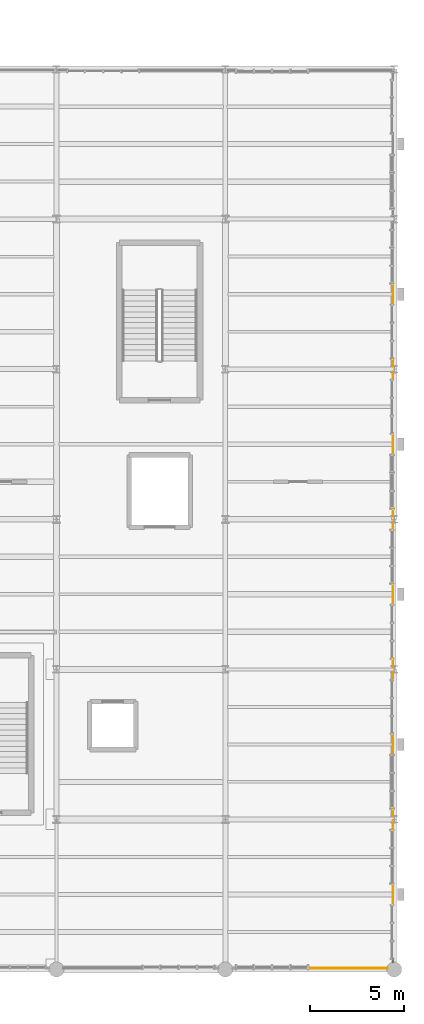
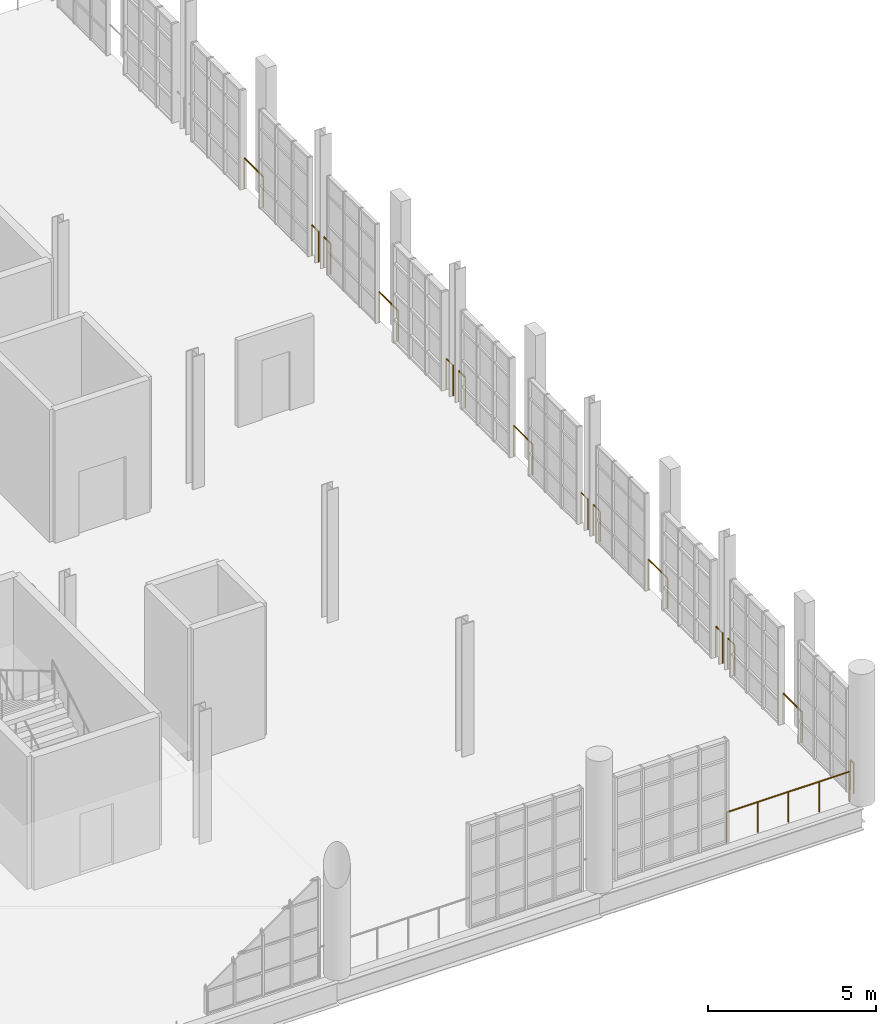
# One storey, part 121 of 122: 15 railings.
"""IFC4 building model written with IfcOpenShell, lengths in metres."""

from ifc_helpers import new_model, si_unit, direction, frame, origin, origin_2d, place, context, subcontext, project, spatial, circle, extrude, material, type_object, element, save


model = new_model("IFC4")

# Units and contexts
model_context = context("Model", 3, precision=1e-05, world=origin(), true_north=direction((0.0, 1.0)))
body_context = subcontext(model_context, "Body", "Model", "MODEL_VIEW")
ifc_project = project(units=[si_unit("LENGTHUNIT", "METRE"), si_unit("AREAUNIT", "SQUARE_METRE"), si_unit("VOLUMEUNIT", "CUBIC_METRE"), si_unit("PLANEANGLEUNIT", "RADIAN"), si_unit("MASSUNIT", "GRAM", prefix="KILO"), si_unit("THERMODYNAMICTEMPERATUREUNIT", "KELVIN"), si_unit("POWERUNIT", "WATT")], contexts=[model_context])

# Site, building, storey
site_placement = place(None, origin())
site = spatial("IfcSite", under=ifc_project, at=site_placement, CompositionType="ELEMENT")
building_placement = place(site_placement, origin())
building = spatial("IfcBuilding", under=site, at=building_placement, Name="Zelmaris Science Centre", CompositionType="ELEMENT")
storey_placement = place(building_placement, frame((0.0, 0.0, 10.800048828125)))
storey = spatial("IfcBuildingStorey", under=building, at=storey_placement, Name="L02", CompositionType="ELEMENT", Elevation=10.800048828125)

# Railings
ifc_material = material(Name="Architectural bronze alloy C28000")
railing_type = type_object("IfcRailingType", Name="Balustrade GD-01 H1120", PredefinedType="BALUSTRADE", material=ifc_material)
railing_1_placement = place(storey_placement, frame((143.93994140625, 44.570068359375, 0.0)))
element("IfcRailing", 1, at=railing_1_placement, inside=storey, type_object=railing_type, Name="L02 Perimeter safety balustrade 131", PredefinedType="BALUSTRADE", context=body_context, shape_type="SweptSolid", body=[
    extrude(circle(Radius=0.02392578125, at=origin_2d()), frame((0.0, 0.0, 1.09619140625), z_axis=(0.0, -1.0, 0.0), x_axis=(1.0, 0.0, 0.0)), (0.0, 0.0, 1.0), 1.14013671875),
    extrude(circle(Radius=0.02099609375, at=origin_2d()), origin(), (0.0, 0.0, 1.0), 1.072021484375),
    extrude(circle(Radius=0.02099609375, at=origin_2d()), frame((0.0, -1.14013671875, 0.0)), (0.0, 0.0, 1.0), 1.072021484375),
])
for number, where, name in (
    (2, (143.93994140625, 40.570068359375, 0.0), "L02 Perimeter safety balustrade 132"),
    (3, (143.93994140625, 39.845947265625, 0.0), "L02 Perimeter safety balustrade 133"),
):
    element("IfcRailing", number, at=place(storey_placement, frame(where)), inside=storey, type_object=railing_type, Name=name, PredefinedType="BALUSTRADE", context=body_context, shape_type="SweptSolid", body=[
        extrude(circle(Radius=0.02392578125, at=origin_2d()), frame((0.0, 0.0, 1.09619140625), z_axis=(0.0, -1.0, 0.0), x_axis=(1.0, 0.0, 0.0)), (0.0, 0.0, 1.0), 0.416015625),
        extrude(circle(Radius=0.02099609375, at=origin_2d()), origin(), (0.0, 0.0, 1.0), 1.072021484375),
        extrude(circle(Radius=0.02099609375, at=origin_2d()), frame((0.0, -0.416015625, 0.0)), (0.0, 0.0, 1.0), 1.072021484375),
    ])
railing_2_placement = place(storey_placement, frame((143.93994140625, 36.570068359375, 0.0)))
element("IfcRailing", 4, at=railing_2_placement, inside=storey, type_object=railing_type, Name="L02 Perimeter safety balustrade 134", PredefinedType="BALUSTRADE", context=body_context, shape_type="SweptSolid", body=[
    extrude(circle(Radius=0.02392578125, at=origin_2d()), frame((0.0, 0.0, 1.09619140625), z_axis=(0.0, -1.0, 0.0), x_axis=(1.0, 0.0, 0.0)), (0.0, 0.0, 1.0), 1.14013671875),
    extrude(circle(Radius=0.02099609375, at=origin_2d()), origin(), (0.0, 0.0, 1.0), 1.072021484375),
    extrude(circle(Radius=0.02099609375, at=origin_2d()), frame((0.0, -1.14013671875, 0.0)), (0.0, 0.0, 1.0), 1.072021484375),
])
for number, where, name in (
    (5, (143.93994140625, 32.570068359375, 0.0), "L02 Perimeter safety balustrade 135"),
    (6, (143.93994140625, 31.845947265625, 0.0), "L02 Perimeter safety balustrade 136"),
):
    element("IfcRailing", number, at=place(storey_placement, frame(where)), inside=storey, type_object=railing_type, Name=name, PredefinedType="BALUSTRADE", context=body_context, shape_type="SweptSolid", body=[
        extrude(circle(Radius=0.02392578125, at=origin_2d()), frame((0.0, 0.0, 1.09619140625), z_axis=(0.0, -1.0, 0.0), x_axis=(1.0, 0.0, 0.0)), (0.0, 0.0, 1.0), 0.416015625),
        extrude(circle(Radius=0.02099609375, at=origin_2d()), origin(), (0.0, 0.0, 1.0), 1.072021484375),
        extrude(circle(Radius=0.02099609375, at=origin_2d()), frame((0.0, -0.416015625, 0.0)), (0.0, 0.0, 1.0), 1.072021484375),
    ])
railing_3_placement = place(storey_placement, frame((143.93994140625, 28.570068359375, 0.0)))
element("IfcRailing", 7, at=railing_3_placement, inside=storey, type_object=railing_type, Name="L02 Perimeter safety balustrade 137", PredefinedType="BALUSTRADE", context=body_context, shape_type="SweptSolid", body=[
    extrude(circle(Radius=0.02392578125, at=origin_2d()), frame((0.0, 0.0, 1.09619140625), z_axis=(0.0, -1.0, 0.0), x_axis=(1.0, 0.0, 0.0)), (0.0, 0.0, 1.0), 1.14013671875),
    extrude(circle(Radius=0.02099609375, at=origin_2d()), origin(), (0.0, 0.0, 1.0), 1.072021484375),
    extrude(circle(Radius=0.02099609375, at=origin_2d()), frame((0.0, -1.14013671875, 0.0)), (0.0, 0.0, 1.0), 1.072021484375),
])
for number, where, name in (
    (8, (143.93994140625, 24.570068359375, 0.0), "L02 Perimeter safety balustrade 138"),
    (9, (143.93994140625, 23.845947265625, 0.0), "L02 Perimeter safety balustrade 139"),
):
    element("IfcRailing", number, at=place(storey_placement, frame(where)), inside=storey, type_object=railing_type, Name=name, PredefinedType="BALUSTRADE", context=body_context, shape_type="SweptSolid", body=[
        extrude(circle(Radius=0.02392578125, at=origin_2d()), frame((0.0, 0.0, 1.09619140625), z_axis=(0.0, -1.0, 0.0), x_axis=(1.0, 0.0, 0.0)), (0.0, 0.0, 1.0), 0.416015625),
        extrude(circle(Radius=0.02099609375, at=origin_2d()), origin(), (0.0, 0.0, 1.0), 1.072021484375),
        extrude(circle(Radius=0.02099609375, at=origin_2d()), frame((0.0, -0.416015625, 0.0)), (0.0, 0.0, 1.0), 1.072021484375),
    ])
railing_4_placement = place(storey_placement, frame((143.93994140625, 20.570068359375, 0.0)))
element("IfcRailing", 10, at=railing_4_placement, inside=storey, type_object=railing_type, Name="L02 Perimeter safety balustrade 140", PredefinedType="BALUSTRADE", context=body_context, shape_type="SweptSolid", body=[
    extrude(circle(Radius=0.02392578125, at=origin_2d()), frame((0.0, 0.0, 1.09619140625), z_axis=(0.0, -1.0, 0.0), x_axis=(1.0, 0.0, 0.0)), (0.0, 0.0, 1.0), 1.14013671875),
    extrude(circle(Radius=0.02099609375, at=origin_2d()), origin(), (0.0, 0.0, 1.0), 1.072021484375),
    extrude(circle(Radius=0.02099609375, at=origin_2d()), frame((0.0, -1.14013671875, 0.0)), (0.0, 0.0, 1.0), 1.072021484375),
])
for number, where, name in (
    (11, (143.93994140625, 16.570068359375, 0.0), "L02 Perimeter safety balustrade 141"),
    (12, (143.93994140625, 15.845947265625, 0.0), "L02 Perimeter safety balustrade 142"),
):
    element("IfcRailing", number, at=place(storey_placement, frame(where)), inside=storey, type_object=railing_type, Name=name, PredefinedType="BALUSTRADE", context=body_context, shape_type="SweptSolid", body=[
        extrude(circle(Radius=0.02392578125, at=origin_2d()), frame((0.0, 0.0, 1.09619140625), z_axis=(0.0, -1.0, 0.0), x_axis=(1.0, 0.0, 0.0)), (0.0, 0.0, 1.0), 0.416015625),
        extrude(circle(Radius=0.02099609375, at=origin_2d()), origin(), (0.0, 0.0, 1.0), 1.072021484375),
        extrude(circle(Radius=0.02099609375, at=origin_2d()), frame((0.0, -0.416015625, 0.0)), (0.0, 0.0, 1.0), 1.072021484375),
    ])
railing_5_placement = place(storey_placement, frame((143.93994140625, 12.570068359375, 0.0)))
element("IfcRailing", 13, at=railing_5_placement, inside=storey, type_object=railing_type, Name="L02 Perimeter safety balustrade 143", PredefinedType="BALUSTRADE", context=body_context, shape_type="SweptSolid", body=[
    extrude(circle(Radius=0.02392578125, at=origin_2d()), frame((0.0, 0.0, 1.09619140625), z_axis=(0.0, -1.0, 0.0), x_axis=(1.0, 0.0, 0.0)), (0.0, 0.0, 1.0), 1.14013671875),
    extrude(circle(Radius=0.02099609375, at=origin_2d()), origin(), (0.0, 0.0, 1.0), 1.072021484375),
    extrude(circle(Radius=0.02099609375, at=origin_2d()), frame((0.0, -1.14013671875, 0.0)), (0.0, 0.0, 1.0), 1.072021484375),
])
railing_6_placement = place(storey_placement, frame((143.93994140625, 8.570068359375, 0.0)))
element("IfcRailing", 14, at=railing_6_placement, inside=storey, type_object=railing_type, Name="L02 Perimeter safety balustrade 144", PredefinedType="BALUSTRADE", context=body_context, shape_type="SweptSolid", body=[
    extrude(circle(Radius=0.02392578125, at=origin_2d()), frame((0.0, 0.0, 1.09619140625), z_axis=(0.0, -1.0, 0.0), x_axis=(1.0, 0.0, 0.0)), (0.0, 0.0, 1.0), 0.199951171875),
    extrude(circle(Radius=0.02099609375, at=origin_2d()), origin(), (0.0, 0.0, 1.0), 1.072021484375),
    extrude(circle(Radius=0.02099609375, at=origin_2d()), frame((0.0, -0.199951171875, 0.0)), (0.0, 0.0, 1.0), 1.072021484375),
])
railing_7_placement = place(storey_placement, frame((143.6298828125, 8.06005859375, 0.0)))
element("IfcRailing", 15, at=railing_7_placement, inside=storey, type_object=railing_type, Name="L02 Perimeter safety balustrade 145", PredefinedType="BALUSTRADE", context=body_context, shape_type="SweptSolid", body=[
    extrude(circle(Radius=0.02392578125, at=origin_2d()), frame((0.0, 0.0, 1.09619140625), z_axis=(-1.0, 0.0, 0.0), x_axis=(0.0, -1.0, 0.0)), (0.0, 0.0, 1.0), 4.219970703125),
    extrude(circle(Radius=0.02099609375, at=origin_2d()), origin(), (0.0, 0.0, 1.0), 1.072021484375),
    extrude(circle(Radius=0.02099609375, at=origin_2d()), frame((-1.054931640625, 0.0, 0.0)), (0.0, 0.0, 1.0), 1.072021484375),
    extrude(circle(Radius=0.02099609375, at=origin_2d()), frame((-2.10986328125, 0.0, 0.0)), (0.0, 0.0, 1.0), 1.072021484375),
    extrude(circle(Radius=0.02099609375, at=origin_2d()), frame((-3.1650390625, 0.0, 0.0)), (0.0, 0.0, 1.0), 1.072021484375),
    extrude(circle(Radius=0.02099609375, at=origin_2d()), frame((-4.219970703125, 0.0, 0.0)), (0.0, 0.0, 1.0), 1.072021484375),
])

save(model, "model.ifc")
